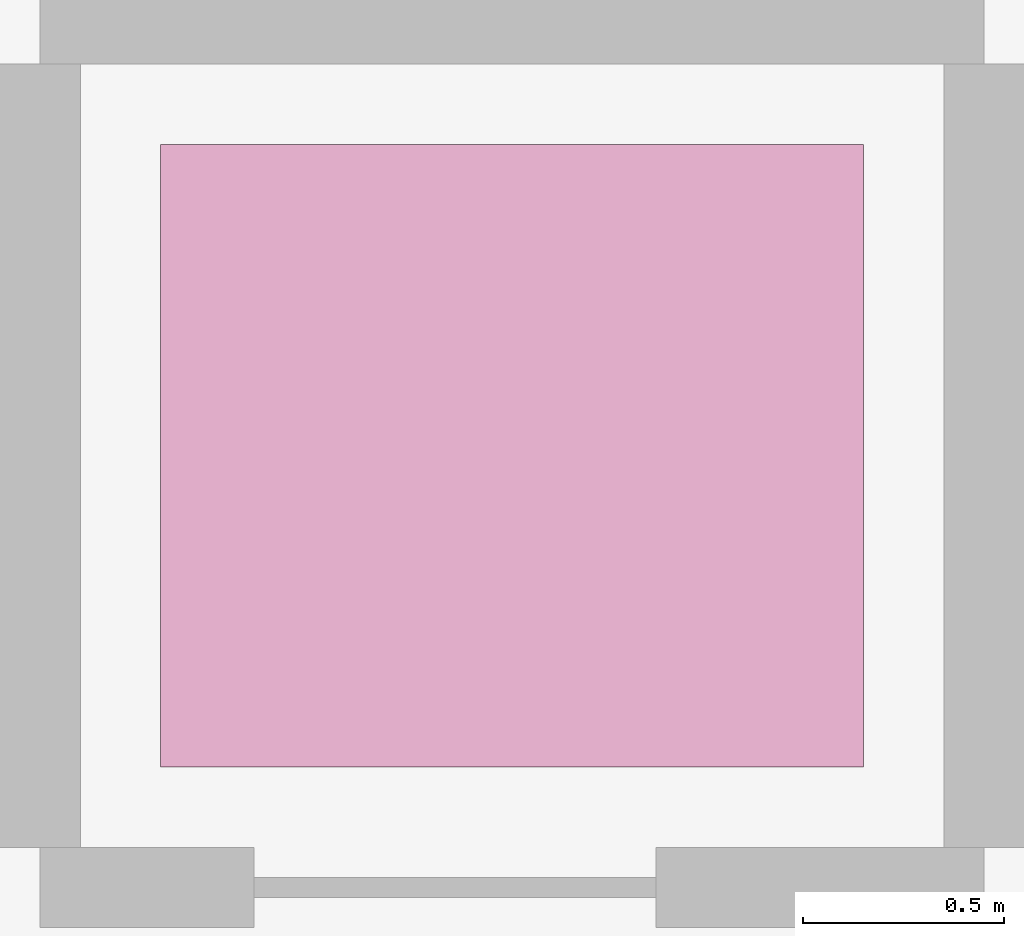
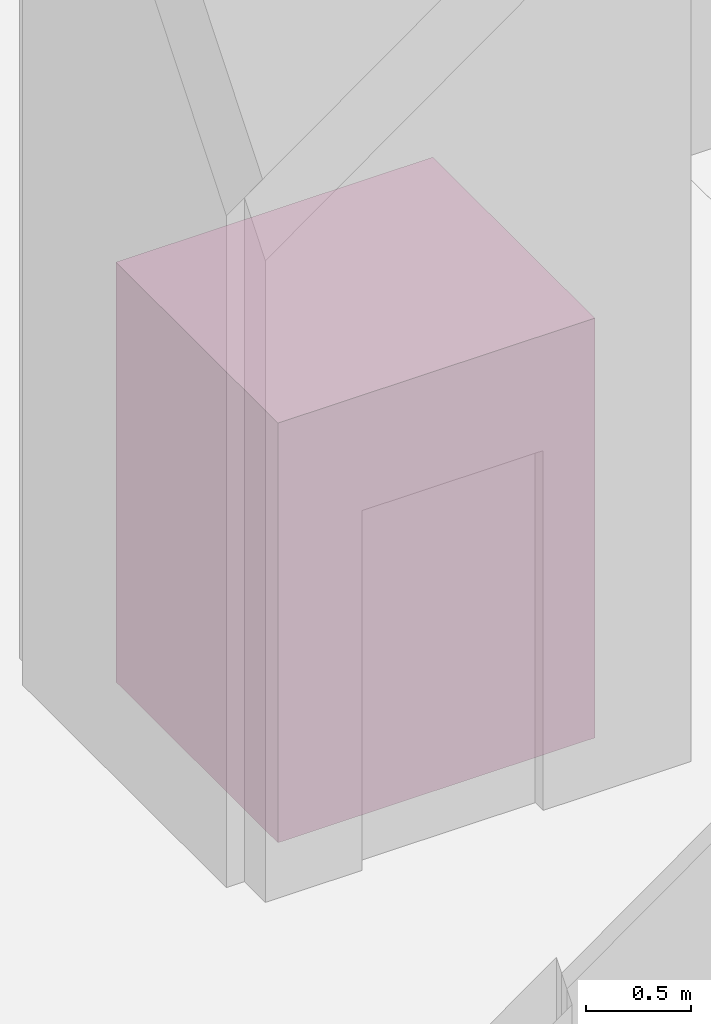
# One storey, part 90 of 90: 1 transport element.
"""IFC4 building model written with IfcOpenShell, lengths in metres."""

from ifc_helpers import new_model, si_unit, direction, frame, origin, origin_2d, place, context, subcontext, project, spatial, rectangle, extrude, material, type_object, element, save


model = new_model("IFC4")

# Units and contexts
model_context = context("Model", 3, precision=1e-05, world=origin(), true_north=direction((0.0, 1.0)))
body_context = subcontext(model_context, "Body", "Model", "MODEL_VIEW")
ifc_project = project(units=[si_unit("LENGTHUNIT", "METRE"), si_unit("AREAUNIT", "SQUARE_METRE"), si_unit("VOLUMEUNIT", "CUBIC_METRE"), si_unit("PLANEANGLEUNIT", "RADIAN"), si_unit("MASSUNIT", "GRAM", prefix="KILO")], contexts=[model_context])

# Site, building, storey
site_placement = place(None, origin())
site = spatial("IfcSite", under=ifc_project, at=site_placement, CompositionType="ELEMENT")
building_placement = place(site_placement, origin())
building = spatial("IfcBuilding", under=site, at=building_placement, Name="Kangsadwip Square Police Headquarters", CompositionType="ELEMENT")
storey_placement = place(building_placement, origin())
storey = spatial("IfcBuildingStorey", under=building, at=storey_placement, Name="L00", CompositionType="ELEMENT", Elevation=0.0)

# Transport element
ifc_material = material(Name="Brushed stainless steel elevator cab enclosure", Category="steel")
transport_element_type = type_object("IfcTransportElementType", Name="PassengerLiftType", PredefinedType="ELEVATOR", material=ifc_material)
transport_element_placement = place(storey_placement, frame((140.39990234375, 104.39990234375, 0.0), z_axis=(0.0, 0.0, 1.0), x_axis=(1.0, 0.0, 0.0)))
element("IfcTransportElement", 1, at=transport_element_placement, inside=storey, type_object=transport_element_type, Name="Command Block Passenger Lift LP-04", PredefinedType="ELEVATOR", context=body_context, shape_type="SweptSolid", body=[
    extrude(rectangle(XDim=1.75, YDim=1.550048828125, at=origin_2d()), origin(), (0.0, 0.0, 1.0), 2.449951171875),
])

save(model, "model.ifc")
